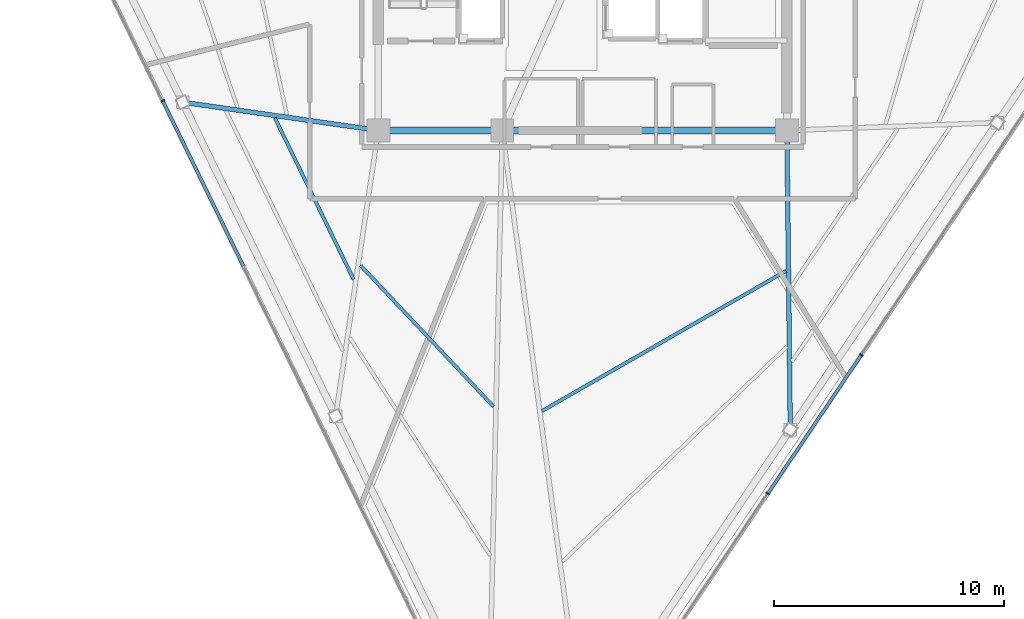
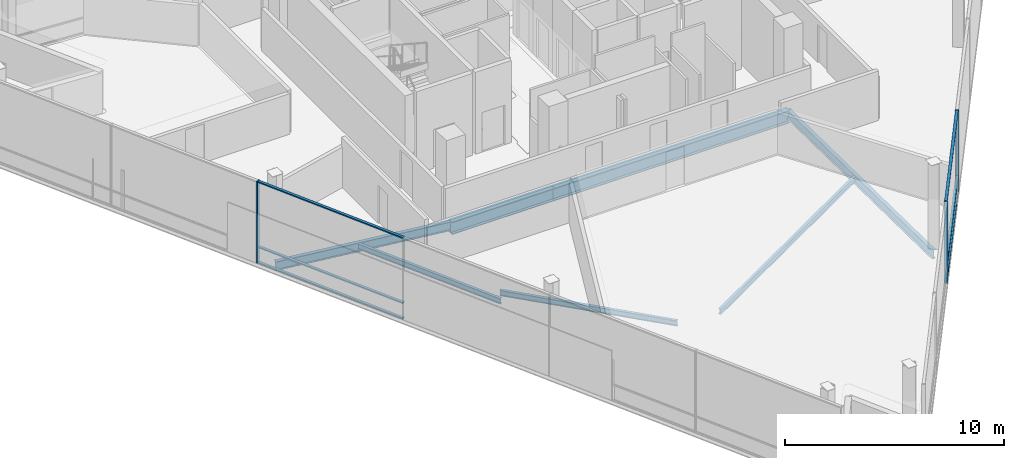
# One storey, part 3 of 13: 9 members, 7 beams, 2 elements without a shape of their own.
"""IFC4 building model written with IfcOpenShell, lengths in metres."""

from ifc_helpers import new_model, si_unit, direction, frame, origin, origin_2d, place, context, subcontext, project, spatial, rectangle, i_section, extrude, material, layer, layer_set, material_profile, profile_set, type_object, element, aggregate, save


model = new_model("IFC4")

# Units and contexts
model_context = context("Model", 3, precision=1e-05, world=origin(), true_north=direction((0.0, 1.0)))
body_context = subcontext(model_context, "Body", "Model", "MODEL_VIEW")
ifc_project = project(units=[si_unit("LENGTHUNIT", "METRE"), si_unit("AREAUNIT", "SQUARE_METRE"), si_unit("VOLUMEUNIT", "CUBIC_METRE"), si_unit("PLANEANGLEUNIT", "RADIAN"), si_unit("MASSUNIT", "GRAM", prefix="KILO")], contexts=[model_context])

# Site, building, storey
site_placement = place(None, origin())
site = spatial("IfcSite", under=ifc_project, at=site_placement, CompositionType="ELEMENT")
building_placement = place(site_placement, origin())
building = spatial("IfcBuilding", under=site, at=building_placement, Name="Tharavind Bronze Gate", CompositionType="ELEMENT")
storey_placement = place(building_placement, frame((0.0, 0.0, 248.64990234375)))
storey = spatial("IfcBuildingStorey", under=building, at=storey_placement, Name="L64", CompositionType="ELEMENT", Elevation=248.64990234375)

# Curtain wall, member
ifc_material_1 = material(Name="Anodised Bronze Aluminium", Category="aluminium")
ifc_layer = layer(ifc_material_1, 0.219970703125)
ifc_layer_set = layer_set([ifc_layer], Name="Anodised Bronze Aluminium")
curtain_wall_type = type_object("IfcCurtainWallType", Name="UNITISED CURTAIN WALL UPPER OFFICE", PredefinedType="USERDEFINED", material=ifc_layer_set)
curtain_wall_1_placement = place(storey_placement, origin())
curtain_wall_1 = element("IfcCurtainWall", 1, at=curtain_wall_1_placement, inside=storey, type_object=curtain_wall_type, Name="L64 unitised curtain wall upper office CW-L64-S1", ObjectType="UNITISED CURTAIN WALL", PredefinedType="USERDEFINED")
member_type_1 = type_object("IfcMemberType", Name="CURTAIN WALL BRONZE MULLION 65X180", PredefinedType="MULLION", material=ifc_material_1)
member_1_placement = place(storey_placement, frame((-18.289794921875, -6.308349609375, 0.0), z_axis=(0.0, 0.0, 1.0), x_axis=(0.438371146789, -0.898794046299, 0.0)))
member_1 = element("IfcMember", 2, at=member_1_placement, type_object=member_type_1, Name="CW-L64-S1 mullion 3", PredefinedType="MULLION", context=body_context, shape_type="SweptSolid", body=[
    extrude(rectangle(XDim=0.06494140625, YDim=0.179931640625, at=origin_2d()), origin(), (0.0, 0.0, 1.0), 4.56005859375),
])

# Curtain wall, members
curtain_wall_2_placement = place(storey_placement, origin())
curtain_wall_2 = element("IfcCurtainWall", 3, at=curtain_wall_2_placement, inside=storey, type_object=curtain_wall_type, Name="L64 unitised curtain wall upper office CW-L64-S2", ObjectType="UNITISED CURTAIN WALL", PredefinedType="USERDEFINED")
member_2_placement = place(storey_placement, frame((8.06787109375, -23.4189453125, 0.0), z_axis=(0.0, 0.0, 1.0), x_axis=(0.559192903471, 0.829037572555, 0.0)))
member_2 = element("IfcMember", 4, at=member_2_placement, type_object=member_type_1, Name="CW-L64-S2 mullion 3", PredefinedType="MULLION", context=body_context, shape_type="SweptSolid", body=[
    extrude(rectangle(XDim=0.06494140625, YDim=0.179931640625, at=origin_2d()), origin(), (0.0, 0.0, 1.0), 4.56005859375),
])
member_3_placement = place(storey_placement, frame((12.140380859375, -17.381103515625, 0.0), z_axis=(0.0, 0.0, 1.0), x_axis=(0.559192903471, 0.829037572555, 0.0)))
member_3 = element("IfcMember", 5, at=member_3_placement, type_object=member_type_1, Name="CW-L64-S2 mullion 4", PredefinedType="MULLION", context=body_context, shape_type="SweptSolid", body=[
    extrude(rectangle(XDim=0.06494140625, YDim=0.179931640625, at=origin_2d()), origin(), (0.0, 0.0, 1.0), 4.56005859375),
])

# Member
member_type_2 = type_object("IfcMemberType", Name="CURTAIN WALL BRONZE TRANSOM 65X140", PredefinedType="USERDEFINED", material=ifc_material_1)
member_4_placement = place(storey_placement, frame((-16.528076171875, -9.920654296875, 0.000244140625), z_axis=(0.0, 0.0, 1.0), x_axis=(0.438371146789, -0.898794046299, 0.0)))
member_4 = element("IfcMember", 6, at=member_4_placement, type_object=member_type_2, Name="CW-L64-S1 transom TB3", ObjectType="TRANSOM", PredefinedType="USERDEFINED", context=body_context, shape_type="SweptSolid", body=[
    extrude(rectangle(XDim=7.985107421875, YDim=0.139892578125, at=origin_2d()), origin(), (0.0, 0.0, 1.0), 0.06494140625),
])

member_5_placement = place(storey_placement, frame((-16.528076171875, -9.920654296875, 0.86767578125), z_axis=(0.0, 0.0, 1.0), x_axis=(0.438371146789, -0.898794046299, 0.0)))
member_5 = element("IfcMember", 7, at=member_5_placement, type_object=member_type_2, Name="CW-L64-S1 transom TS3", ObjectType="TRANSOM", PredefinedType="USERDEFINED", context=body_context, shape_type="SweptSolid", body=[
    extrude(rectangle(XDim=7.985107421875, YDim=0.139892578125, at=origin_2d()), origin(), (0.0, 0.0, 1.0), 0.06494140625),
])

member_6_placement = place(storey_placement, frame((-16.528076171875, -9.920654296875, 4.4951171875), z_axis=(0.0, 0.0, 1.0), x_axis=(0.438371146789, -0.898794046299, 0.0)))
member_6 = element("IfcMember", 8, at=member_6_placement, type_object=member_type_2, Name="CW-L64-S1 transom TT3", ObjectType="TRANSOM", PredefinedType="USERDEFINED", context=body_context, shape_type="SweptSolid", body=[
    extrude(rectangle(XDim=7.985107421875, YDim=0.139892578125, at=origin_2d()), origin(), (0.0, 0.0, 1.0), 0.06494140625),
])

aggregate(curtain_wall_1, [member_1, member_4, member_5, member_6])

member_7_placement = place(storey_placement, frame((10.10400390625, -20.39990234375, 0.000244140625), z_axis=(0.0, 0.0, 1.0), x_axis=(0.559192903471, 0.829037572555, 0.0)))
member_7 = element("IfcMember", 9, at=member_7_placement, type_object=member_type_2, Name="CW-L64-S2 transom TB3", ObjectType="TRANSOM", PredefinedType="USERDEFINED", context=body_context, shape_type="SweptSolid", body=[
    extrude(rectangle(XDim=7.22998046875, YDim=0.139892578125, at=origin_2d()), origin(), (0.0, 0.0, 1.0), 0.06494140625),
])

member_8_placement = place(storey_placement, frame((10.10400390625, -20.39990234375, 0.86767578125), z_axis=(0.0, 0.0, 1.0), x_axis=(0.559192903471, 0.829037572555, 0.0)))
member_8 = element("IfcMember", 10, at=member_8_placement, type_object=member_type_2, Name="CW-L64-S2 transom TS3", ObjectType="TRANSOM", PredefinedType="USERDEFINED", context=body_context, shape_type="SweptSolid", body=[
    extrude(rectangle(XDim=7.22998046875, YDim=0.139892578125, at=origin_2d()), origin(), (0.0, 0.0, 1.0), 0.06494140625),
])

member_9_placement = place(storey_placement, frame((10.10400390625, -20.39990234375, 4.4951171875), z_axis=(0.0, 0.0, 1.0), x_axis=(0.559192903471, 0.829037572555, 0.0)))
member_9 = element("IfcMember", 11, at=member_9_placement, type_object=member_type_2, Name="CW-L64-S2 transom TT3", ObjectType="TRANSOM", PredefinedType="USERDEFINED", context=body_context, shape_type="SweptSolid", body=[
    extrude(rectangle(XDim=7.22998046875, YDim=0.139892578125, at=origin_2d()), origin(), (0.0, 0.0, 1.0), 0.06494140625),
])

aggregate(curtain_wall_2, [member_2, member_3, member_7, member_8, member_9])

# Beams
ifc_material_2 = material(Name="Steel S355", Category="steel")
ifc_material_profile_1 = material_profile(ifc_material_2, i_section(OverallWidth=0.199951171875, OverallDepth=0.5, WebThickness=0.01025390625, FlangeThickness=0.01611328125, at=origin_2d()), Name="IPE500")
ifc_profile_set_1 = profile_set([ifc_material_profile_1], Name="Steel S355")
beam_type_1 = type_object("IfcBeamType", Name="PRIMARY GIRDER IPE500", PredefinedType="USERDEFINED", material=ifc_profile_set_1)
beam_1_placement = place(storey_placement, frame((-17.42578125, -6.368896484375, -0.429931640625), z_axis=(0.989733524733, -0.142924980391, 0.0), x_axis=(0.142924980391, 0.989733524733, 0.0)))
element("IfcBeam", 12, at=beam_1_placement, inside=storey, type_object=beam_type_1, Name="L64 primary girder ipe500 BM-L64-RAD02", ObjectType="GIRDER", PredefinedType="USERDEFINED", context=body_context, shape_type="SweptSolid", body=[
    extrude(i_section(OverallWidth=0.199951171875, OverallDepth=0.5, WebThickness=0.01025390625, FlangeThickness=0.01611328125, at=origin_2d()), origin(), (0.0, 0.0, 1.0), 8.6142578125),
])
beam_2_placement = place(storey_placement, frame((9.045654296875, -20.627685546875, -0.429931640625), z_axis=(-0.01118724612, 0.999937420804, 0.0), x_axis=(-0.999937420804, -0.01118724612, 0.0)))
element("IfcBeam", 13, at=beam_2_placement, inside=storey, type_object=beam_type_1, Name="L64 primary girder ipe500 BM-L64-RAD06", ObjectType="GIRDER", PredefinedType="USERDEFINED", context=body_context, shape_type="SweptSolid", body=[
    extrude(i_section(OverallWidth=0.199951171875, OverallDepth=0.5, WebThickness=0.01025390625, FlangeThickness=0.01611328125, at=origin_2d()), origin(), (0.0, 0.0, 1.0), 13.0283203125),
])
ifc_material_profile_2 = material_profile(ifc_material_2, i_section(OverallWidth=0.300048828125, OverallDepth=0.699951171875, WebThickness=0.01708984375, FlangeThickness=0.031982421875, at=origin_2d()), Name="HE700B")
ifc_profile_set_2 = profile_set([ifc_material_profile_2], Name="Steel S355")
beam_type_2 = type_object("IfcBeamType", Name="RING GIRDER HE700B", PredefinedType="USERDEFINED", material=ifc_profile_set_2)
beam_3_placement = place(storey_placement, frame((-8.89990234375, -7.60009765625, -0.52978515625), z_axis=(1.0, 0.0, 0.0), x_axis=(0.0, 1.0, 0.0)))
element("IfcBeam", 14, at=beam_3_placement, inside=storey, type_object=beam_type_2, Name="L64 ring girder he700b BM-L64-CR1", ObjectType="GIRDER", PredefinedType="USERDEFINED", context=body_context, shape_type="SweptSolid", body=[
    extrude(i_section(OverallWidth=0.300048828125, OverallDepth=0.699951171875, WebThickness=0.01708984375, FlangeThickness=0.031982421875, at=origin_2d()), origin(), (0.0, 0.0, 1.0), 5.39990234375),
])
beam_4_placement = place(storey_placement, frame((-3.5, -7.60009765625, -0.52978515625), z_axis=(1.0, 0.0, 0.0), x_axis=(0.0, 1.0, 0.0)))
element("IfcBeam", 15, at=beam_4_placement, inside=storey, type_object=beam_type_2, Name="L64 ring girder he700b BM-L64-CR2", ObjectType="GIRDER", PredefinedType="USERDEFINED", context=body_context, shape_type="SweptSolid", body=[
    extrude(i_section(OverallWidth=0.300048828125, OverallDepth=0.699951171875, WebThickness=0.01708984375, FlangeThickness=0.031982421875, at=origin_2d()), origin(), (0.0, 0.0, 1.0), 12.39990234375),
])
ifc_material_profile_3 = material_profile(ifc_material_2, i_section(OverallWidth=0.14990234375, OverallDepth=0.300048828125, WebThickness=0.007080078125, FlangeThickness=0.0107421875, at=origin_2d()), Name="IPE300")
ifc_profile_set_3 = profile_set([ifc_material_profile_3], Name="Steel S355")
beam_type_3 = type_object("IfcBeamType", Name="SECONDARY FLOOR JOIST IPE300", PredefinedType="JOIST", material=ifc_profile_set_3)
beam_5_placement = place(storey_placement, frame((-13.406494140625, -7.0537109375, -0.329833984375), z_axis=(0.438363440935, -0.898797804654, 0.0), x_axis=(0.898797804654, 0.438363440935, 0.0)))
element("IfcBeam", 16, at=beam_5_placement, inside=storey, type_object=beam_type_3, Name="L64 secondary floor joist ipe300 BM-L64-JSTA02", PredefinedType="JOIST", context=body_context, shape_type="SweptSolid", body=[
    extrude(i_section(OverallWidth=0.14990234375, OverallDepth=0.300048828125, WebThickness=0.007080078125, FlangeThickness=0.0107421875, at=origin_2d()), origin(), (0.0, 0.0, 1.0), 7.83154296875),
])
beam_6_placement = place(storey_placement, frame((-9.674072265625, -13.47998046875, -0.329833984375), z_axis=(0.685776148946, -0.727812526367, 0.0), x_axis=(0.727812526367, 0.685776148946, 0.0)))
element("IfcBeam", 17, at=beam_6_placement, inside=storey, type_object=beam_type_3, Name="L64 secondary floor joist ipe300 BM-L64-JSTA03", PredefinedType="JOIST", context=body_context, shape_type="SweptSolid", body=[
    extrude(i_section(OverallWidth=0.14990234375, OverallDepth=0.300048828125, WebThickness=0.007080078125, FlangeThickness=0.0107421875, at=origin_2d()), origin(), (0.0, 0.0, 1.0), 8.456298828125),
])
beam_7_placement = place(storey_placement, frame((-1.7626953125, -19.8193359375, -0.329833984375), z_axis=(0.867210244303, 0.497942157459, 0.0), x_axis=(-0.497942157459, 0.867210244303, 0.0)))
element("IfcBeam", 18, at=beam_7_placement, inside=storey, type_object=beam_type_3, Name="L64 secondary floor joist ipe300 BM-L64-JSTA05", PredefinedType="JOIST", context=body_context, shape_type="SweptSolid", body=[
    extrude(i_section(OverallWidth=0.14990234375, OverallDepth=0.300048828125, WebThickness=0.007080078125, FlangeThickness=0.0107421875, at=origin_2d()), origin(), (0.0, 0.0, 1.0), 12.255126953125),
])

save(model, "model.ifc")
